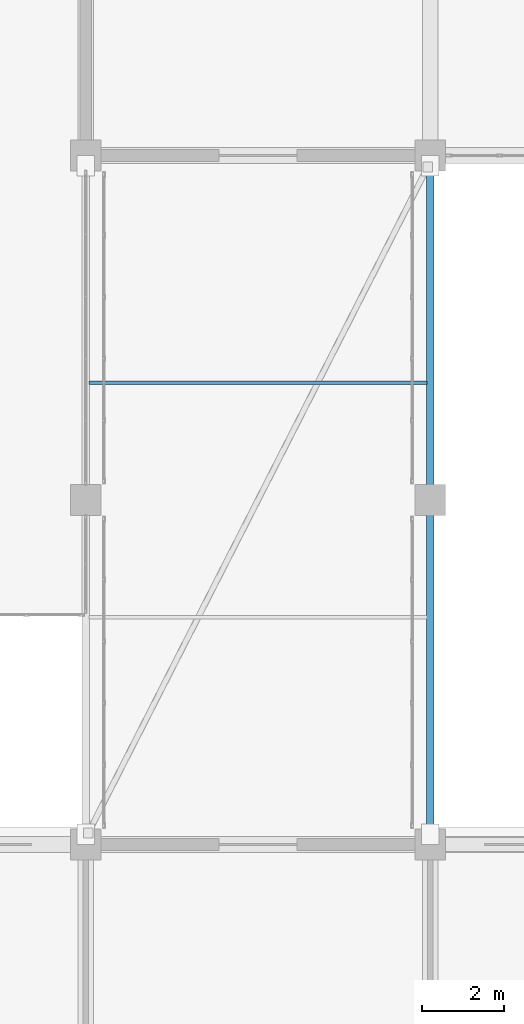
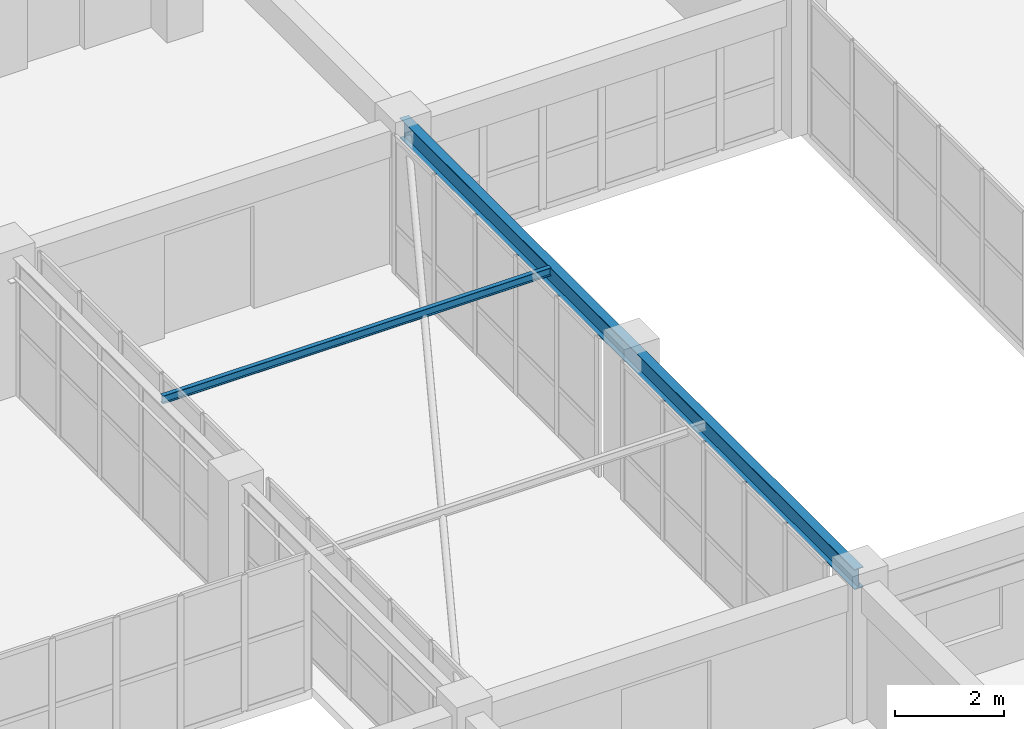
# One storey, part 64 of 200: 2 beams.
"""IFC4 building model written with IfcOpenShell, lengths in metres."""

from ifc_helpers import new_model, si_unit, direction, frame, origin, origin_2d, place, context, subcontext, project, spatial, i_section, extrude, material, material_profile, profile_set, type_object, element, save


model = new_model("IFC4")

# Units and contexts
model_context = context("Model", 3, precision=1e-05, world=origin(), true_north=direction((0.0, 1.0)))
body_context = subcontext(model_context, "Body", "Model", "MODEL_VIEW")
ifc_project = project(units=[si_unit("LENGTHUNIT", "METRE"), si_unit("AREAUNIT", "SQUARE_METRE"), si_unit("VOLUMEUNIT", "CUBIC_METRE"), si_unit("PLANEANGLEUNIT", "RADIAN"), si_unit("MASSUNIT", "GRAM", prefix="KILO")], contexts=[model_context])

# Site, building, storey
site_placement = place(None, origin())
site = spatial("IfcSite", under=ifc_project, at=site_placement, CompositionType="ELEMENT")
building_placement = place(site_placement, origin())
building = spatial("IfcBuilding", under=site, at=building_placement, Name="Trelvath General Hospital", CompositionType="ELEMENT")
storey_placement = place(building_placement, frame((0.0, 0.0, 4.800048828125)))
storey = spatial("IfcBuildingStorey", under=building, at=storey_placement, Name="L01", CompositionType="ELEMENT", Elevation=4.800048828125)

# Beams
ifc_material_1 = material(Name="Steel S355", Category="steel")
ifc_material_profile_1 = material_profile(ifc_material_1, i_section(OverallWidth=0.18994140625, OverallDepth=0.449951171875, WebThickness=0.009521484375, FlangeThickness=0.0146484375, at=origin_2d()), Name="IPE450")
ifc_profile_set_1 = profile_set([ifc_material_profile_1], Name="Steel S355")
beam_type_1 = type_object("IfcBeamType", Name="BridgeGirder IPE450", PredefinedType="BEAM", material=ifc_profile_set_1)
beam_1_placement = place(storey_placement, frame((84.0, 25.239990234375, 2.885009765625), z_axis=(0.0, 1.0, 0.0), x_axis=(-1.0, 0.0, 0.0)))
element("IfcBeam", 1, at=beam_1_placement, inside=storey, type_object=beam_type_1, Name="Bridge Girder BRG-S-C E L02", PredefinedType="BEAM", context=body_context, shape_type="SweptSolid", body=[
    extrude(i_section(OverallWidth=0.18994140625, OverallDepth=0.449951171875, WebThickness=0.009521484375, FlangeThickness=0.0146484375, at=origin_2d()), origin(), (0.0, 0.0, 1.0), 16.719970703125),
])
ifc_material_2 = material(Name="Steel S355", Category="steel")
ifc_material_profile_2 = material_profile(ifc_material_2, i_section(OverallWidth=0.091064453125, OverallDepth=0.179931640625, WebThickness=0.00537109375, FlangeThickness=0.008056640625, at=origin_2d()), Name="IPE180")
ifc_profile_set_2 = profile_set([ifc_material_profile_2], Name="Steel S355")
beam_type_2 = type_object("IfcBeamType", Name="BridgeJoist IPE180", PredefinedType="JOIST", material=ifc_profile_set_2)
beam_2_placement = place(storey_placement, frame((75.679931640625, 36.4560546875, 3.02001953125), z_axis=(1.0, 0.0, 0.0), x_axis=(0.0, 1.0, 0.0)))
element("IfcBeam", 2, at=beam_2_placement, inside=storey, type_object=beam_type_2, Name="Bridge Cross Joist BRG-S-C L02", PredefinedType="JOIST", context=body_context, shape_type="SweptSolid", body=[
    extrude(i_section(OverallWidth=0.091064453125, OverallDepth=0.179931640625, WebThickness=0.00537109375, FlangeThickness=0.008056640625, at=origin_2d()), origin(), (0.0, 0.0, 1.0), 8.239990234375),
])

save(model, "model.ifc")
